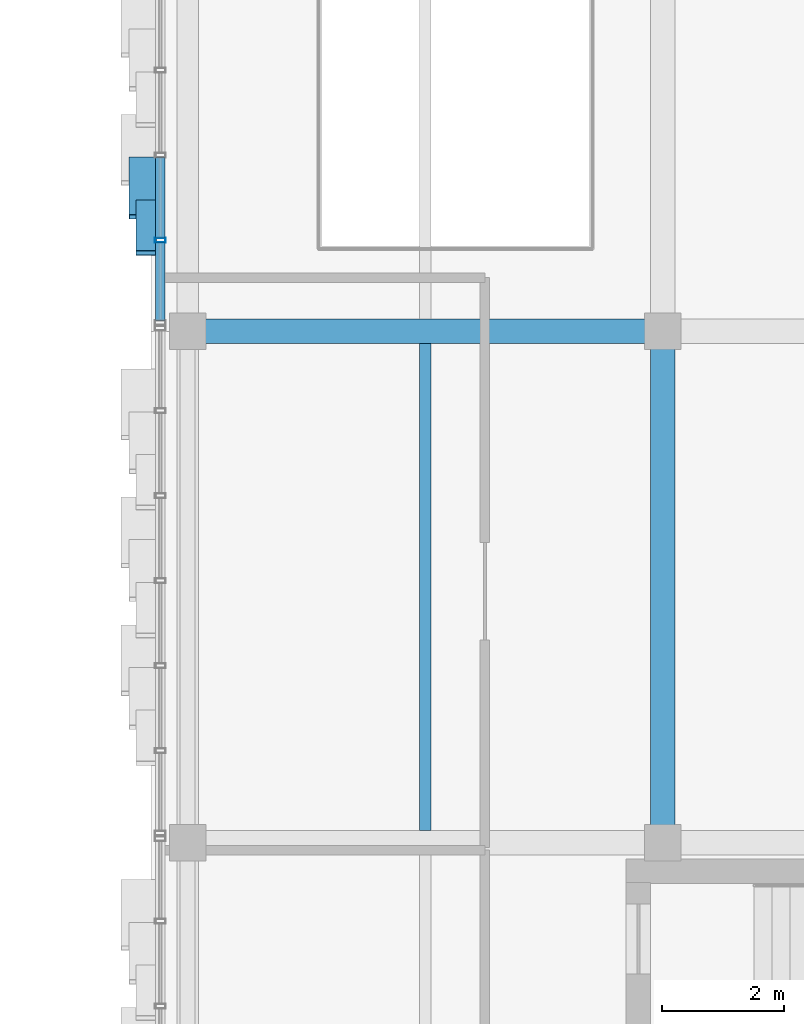
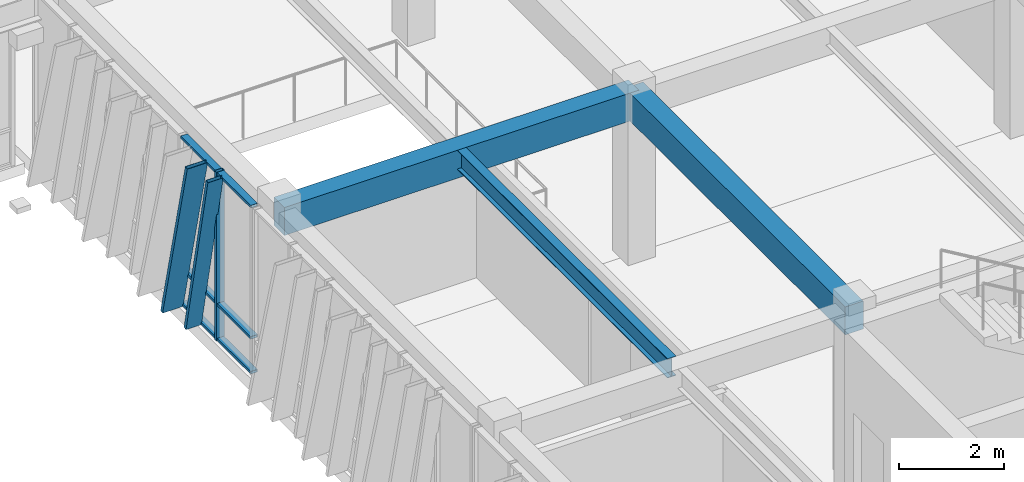
# One storey, part 32 of 127: 9 members, 3 beams, 1 element without a shape of its own.
"""IFC4 building model written with IfcOpenShell, lengths in metres."""

from ifc_helpers import new_model, si_unit, direction, frame, origin, origin_2d, place, context, subcontext, project, spatial, rectangle, hollow_rectangle, i_section, extrude, material, layer, layer_set, material_profile, profile_set, type_object, element, aggregate, save


model = new_model("IFC4")

# Units and contexts
model_context = context("Model", 3, precision=1e-05, world=origin(), true_north=direction((0.0, 1.0)))
body_context = subcontext(model_context, "Body", "Model", "MODEL_VIEW")
ifc_project = project(units=[si_unit("LENGTHUNIT", "METRE"), si_unit("AREAUNIT", "SQUARE_METRE"), si_unit("VOLUMEUNIT", "CUBIC_METRE"), si_unit("PLANEANGLEUNIT", "RADIAN"), si_unit("MASSUNIT", "GRAM", prefix="KILO")], contexts=[model_context])

# Site, building, storey
site_placement = place(None, origin())
site = spatial("IfcSite", under=ifc_project, at=site_placement, CompositionType="ELEMENT")
building_placement = place(site_placement, origin())
building = spatial("IfcBuilding", under=site, at=building_placement, Name="Zayran Congress Hotel", CompositionType="ELEMENT")
storey_placement = place(building_placement, frame((0.0, 0.0, 10.800048828125)))
storey = spatial("IfcBuildingStorey", under=building, at=storey_placement, Name="L02", CompositionType="ELEMENT", Elevation=10.800048828125)

# Beams
ifc_material_1 = material(Name="Concrete C40/50", Category="concrete")
ifc_material_profile_1 = material_profile(ifc_material_1, rectangle(XDim=0.39990234375, YDim=0.64990234375, at=origin_2d()), Name="RC 400x650")
ifc_profile_set_1 = profile_set([ifc_material_profile_1], Name="Concrete C40/50")
beam_type_1 = type_object("IfcBeamType", Name="TP-BM-03", PredefinedType="BEAM", material=ifc_profile_set_1)
beam_1_placement = place(storey_placement, frame((109.800048828125, 67.60009765625, 3.594970703125), z_axis=(1.0, 0.0, 0.0), x_axis=(0.0, 1.0, 0.0)))
element("IfcBeam", 1, at=beam_1_placement, inside=storey, type_object=beam_type_1, Name="BM-V4-L02-1421", PredefinedType="BEAM", context=body_context, shape_type="SweptSolid", body=[
    extrude(rectangle(XDim=0.39990234375, YDim=0.64990234375, at=origin_2d()), origin(), (0.0, 0.0, 1.0), 7.800048828125),
])
beam_2_placement = place(storey_placement, frame((117.60009765625, 59.199951171875, 3.594970703125), z_axis=(0.0, 1.0, 0.0), x_axis=(-1.0, 0.0, 0.0)))
element("IfcBeam", 2, at=beam_2_placement, inside=storey, type_object=beam_type_1, Name="BM-V4-L02-1448", PredefinedType="BEAM", context=body_context, shape_type="SweptSolid", body=[
    extrude(rectangle(XDim=0.39990234375, YDim=0.64990234375, at=origin_2d()), origin(), (0.0, 0.0, 1.0), 8.400146484375),
])
ifc_material_2 = material(Name="Steel S355", Category="steel")
ifc_material_profile_2 = material_profile(ifc_material_2, i_section(OverallWidth=0.18994140625, OverallDepth=0.449951171875, WebThickness=0.009521484375, FlangeThickness=0.0146484375, at=origin_2d()), Name="IPE 450")
ifc_profile_set_2 = profile_set([ifc_material_profile_2], Name="Steel S355")
beam_type_2 = type_object("IfcBeamType", Name="TP-JS-02", PredefinedType="JOIST", material=ifc_profile_set_2)
beam_3_placement = place(storey_placement, frame((113.699951171875, 59.39990234375, 3.695068359375), z_axis=(0.0, 1.0, 0.0), x_axis=(-1.0, 0.0, 0.0)))
element("IfcBeam", 3, at=beam_3_placement, inside=storey, type_object=beam_type_2, Name="JST-V4-L02-1471", PredefinedType="JOIST", context=body_context, shape_type="SweptSolid", body=[
    extrude(i_section(OverallWidth=0.18994140625, OverallDepth=0.449951171875, WebThickness=0.009521484375, FlangeThickness=0.0146484375, at=origin_2d()), origin(), (0.0, 0.0, 1.0), 8.0),
])

# Curtain wall, members
ifc_material_3 = material(Name="Anodised aluminium and low-E insulated glass", Category="aluminium")
ifc_layer = layer(ifc_material_3, 0.179931640625)
ifc_layer_set = layer_set([ifc_layer], Name="Anodised aluminium and low-E insulated glass")
curtain_wall_type = type_object("IfcCurtainWallType", Name="CW-V4W-L02-CW-51-8371-3920", PredefinedType="USERDEFINED", material=ifc_layer_set)
curtain_wall_placement = place(storey_placement, origin())
curtain_wall = element("IfcCurtainWall", 4, at=curtain_wall_placement, inside=storey, type_object=curtain_wall_type, Name="CW-V4W-L02-3", ObjectType="CURTAIN WALL", PredefinedType="USERDEFINED")
ifc_material_4 = material(Name="Anodised aluminium framing", Category="aluminium")
ifc_material_profile_3 = material_profile(ifc_material_4, hollow_rectangle(XDim=0.080078125, YDim=0.179931640625, WallThickness=0.0048828125, at=origin_2d()), Name="RHS 180x80x5")
ifc_profile_set_3 = profile_set([ifc_material_profile_3], Name="Anodised aluminium framing")
member_type_1 = type_object("IfcMemberType", Name="TP-CWM-01", PredefinedType="MULLION", material=ifc_profile_set_3)
member_1_placement = place(storey_placement, frame((109.35009765625, 69.09423828125, 0.0), z_axis=(0.0, 0.0, 1.0), x_axis=(0.0, 1.0, 0.0)))
member_1 = element("IfcMember", 5, at=member_1_placement, type_object=member_type_1, Name="CW-V4W-L02-3-M05", PredefinedType="MULLION", context=body_context, shape_type="SweptSolid", body=[
    extrude(hollow_rectangle(XDim=0.080078125, YDim=0.179931640625, WallThickness=0.0048828125, at=origin_2d()), origin(), (0.0, 0.0, 1.0), 3.919921875),
])
ifc_material_profile_4 = material_profile(ifc_material_4, hollow_rectangle(XDim=0.06005859375, YDim=0.14990234375, WallThickness=0.00390625, at=origin_2d()), Name="RHS 150x60x4")
ifc_profile_set_4 = profile_set([ifc_material_profile_4], Name="Anodised aluminium framing")
member_type_2 = type_object("IfcMemberType", Name="TP-CWT-01", PredefinedType="USERDEFINED", material=ifc_profile_set_4)
member_2_placement = place(storey_placement, frame((109.35009765625, 70.44921875, 0.030029296875), z_axis=(0.0, -1.0, 0.0), x_axis=(0.0, 0.0, 1.0)))
member_2 = element("IfcMember", 6, at=member_2_placement, type_object=member_type_2, Name="CW-V4W-L02-3-T04-0", ObjectType="TRANSOM", PredefinedType="USERDEFINED", context=body_context, shape_type="SweptSolid", body=[
    extrude(hollow_rectangle(XDim=0.06005859375, YDim=0.14990234375, WallThickness=0.00390625, at=origin_2d()), origin(), (0.0, 0.0, 1.0), 1.31494140625),
])
member_3_placement = place(storey_placement, frame((109.35009765625, 70.44921875, 0.83984375), z_axis=(0.0, -1.0, 0.0), x_axis=(0.0, 0.0, 1.0)))
member_3 = element("IfcMember", 7, at=member_3_placement, type_object=member_type_2, Name="CW-V4W-L02-3-T04-1", ObjectType="TRANSOM", PredefinedType="USERDEFINED", context=body_context, shape_type="SweptSolid", body=[
    extrude(hollow_rectangle(XDim=0.06005859375, YDim=0.14990234375, WallThickness=0.00390625, at=origin_2d()), origin(), (0.0, 0.0, 1.0), 1.31494140625),
])
member_4_placement = place(storey_placement, frame((109.35009765625, 70.44921875, 3.889892578125), z_axis=(0.0, -1.0, 0.0), x_axis=(0.0, 0.0, 1.0)))
member_4 = element("IfcMember", 8, at=member_4_placement, type_object=member_type_2, Name="CW-V4W-L02-3-T04-2", ObjectType="TRANSOM", PredefinedType="USERDEFINED", context=body_context, shape_type="SweptSolid", body=[
    extrude(hollow_rectangle(XDim=0.06005859375, YDim=0.14990234375, WallThickness=0.00390625, at=origin_2d()), origin(), (0.0, 0.0, 1.0), 1.31494140625),
])
member_5_placement = place(storey_placement, frame((109.35009765625, 69.05419921875, 0.030029296875), z_axis=(0.0, -1.0, 0.0), x_axis=(0.0, 0.0, 1.0)))
member_5 = element("IfcMember", 9, at=member_5_placement, type_object=member_type_2, Name="CW-V4W-L02-3-T05-0", ObjectType="TRANSOM", PredefinedType="USERDEFINED", context=body_context, shape_type="SweptSolid", body=[
    extrude(hollow_rectangle(XDim=0.06005859375, YDim=0.14990234375, WallThickness=0.00390625, at=origin_2d()), origin(), (0.0, 0.0, 1.0), 1.275146484375),
])
member_6_placement = place(storey_placement, frame((109.35009765625, 69.05419921875, 0.83984375), z_axis=(0.0, -1.0, 0.0), x_axis=(0.0, 0.0, 1.0)))
member_6 = element("IfcMember", 10, at=member_6_placement, type_object=member_type_2, Name="CW-V4W-L02-3-T05-1", ObjectType="TRANSOM", PredefinedType="USERDEFINED", context=body_context, shape_type="SweptSolid", body=[
    extrude(hollow_rectangle(XDim=0.06005859375, YDim=0.14990234375, WallThickness=0.00390625, at=origin_2d()), origin(), (0.0, 0.0, 1.0), 1.275146484375),
])
member_7_placement = place(storey_placement, frame((109.35009765625, 69.05419921875, 3.889892578125), z_axis=(0.0, -1.0, 0.0), x_axis=(0.0, 0.0, 1.0)))
member_7 = element("IfcMember", 11, at=member_7_placement, type_object=member_type_2, Name="CW-V4W-L02-3-T05-2", ObjectType="TRANSOM", PredefinedType="USERDEFINED", context=body_context, shape_type="SweptSolid", body=[
    extrude(hollow_rectangle(XDim=0.06005859375, YDim=0.14990234375, WallThickness=0.00390625, at=origin_2d()), origin(), (0.0, 0.0, 1.0), 1.275146484375),
])
ifc_material_5 = material(Name="Warm bronze anodised aluminium", Category="aluminium")
ifc_material_profile_5 = material_profile(ifc_material_5, hollow_rectangle(XDim=0.080078125, YDim=0.449951171875, WallThickness=0.006103515625, at=origin_2d()), Name="RHS 450x80x6")
ifc_profile_set_5 = profile_set([ifc_material_profile_5], Name="Warm bronze anodised aluminium")
member_type_3 = type_object("IfcMemberType", Name="TP-RFN-02", PredefinedType="MULLION", material=ifc_profile_set_5)
member_8_placement = place(storey_placement, frame((109.06494140625, 70.419921875, 0.0), z_axis=(0.0, -0.233405019846, 0.972379605252), x_axis=(0.0, 0.972379605252, 0.233405019846)))
member_8 = element("IfcMember", 12, at=member_8_placement, type_object=member_type_3, Name="Slanting Reed Mullion CW-51-08", PredefinedType="MULLION", context=body_context, shape_type="SweptSolid", body=[
    extrude(hollow_rectangle(XDim=0.080078125, YDim=0.449951171875, WallThickness=0.006103515625, at=origin_2d()), origin(), (0.0, 0.0, 1.0), 4.03125),
])
ifc_material_profile_6 = material_profile(ifc_material_5, hollow_rectangle(XDim=0.080078125, YDim=0.340087890625, WallThickness=0.006103515625, at=origin_2d()), Name="RHS 340x80x6")
ifc_profile_set_6 = profile_set([ifc_material_profile_6], Name="Warm bronze anodised aluminium")
member_type_4 = type_object("IfcMemberType", Name="TP-RFN-03", PredefinedType="MULLION", material=ifc_profile_set_6)
member_9_placement = place(storey_placement, frame((109.1201171875, 69.719970703125, 0.0), z_axis=(0.0, -0.207922873001, 0.978145223821), x_axis=(0.0, 0.978145223821, 0.207922873001)))
member_9 = element("IfcMember", 13, at=member_9_placement, type_object=member_type_4, Name="Slanting Reed Mullion CW-51-09", PredefinedType="MULLION", context=body_context, shape_type="SweptSolid", body=[
    extrude(hollow_rectangle(XDim=0.080078125, YDim=0.340087890625, WallThickness=0.006103515625, at=origin_2d()), origin(), (0.0, 0.0, 1.0), 4.007568359375),
])
aggregate(curtain_wall, [member_1, member_2, member_3, member_4, member_5, member_6, member_7, member_8, member_9])

save(model, "model.ifc")
